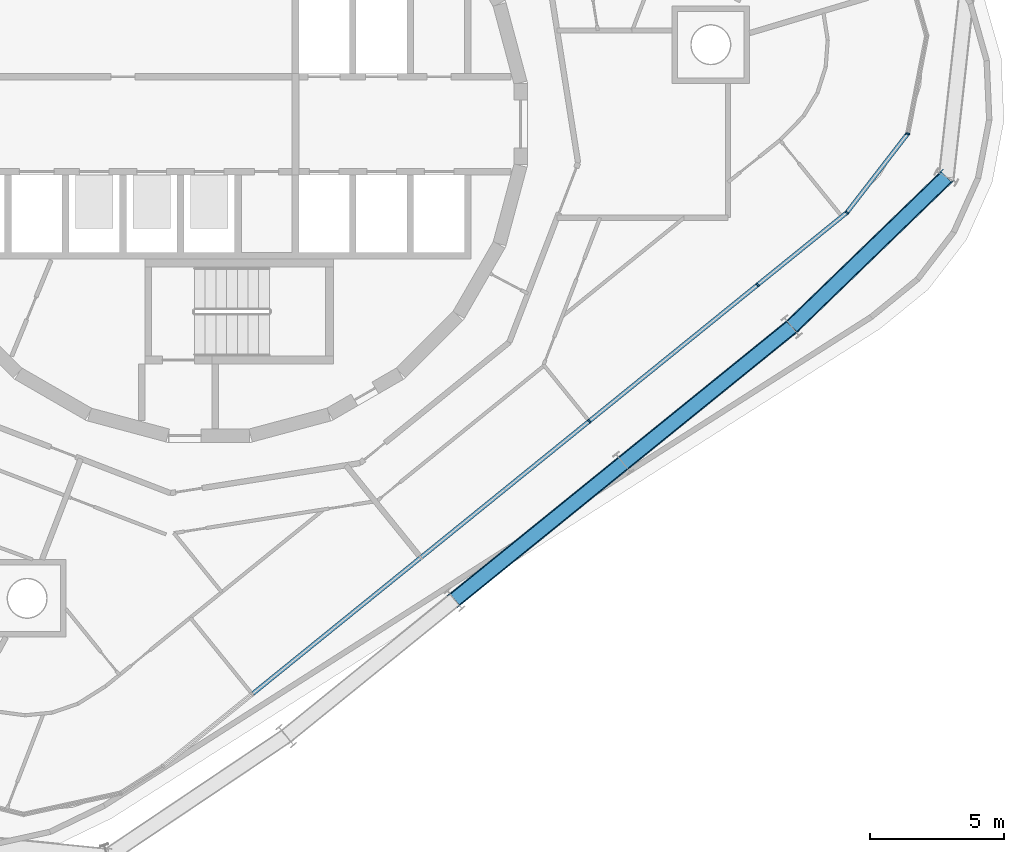
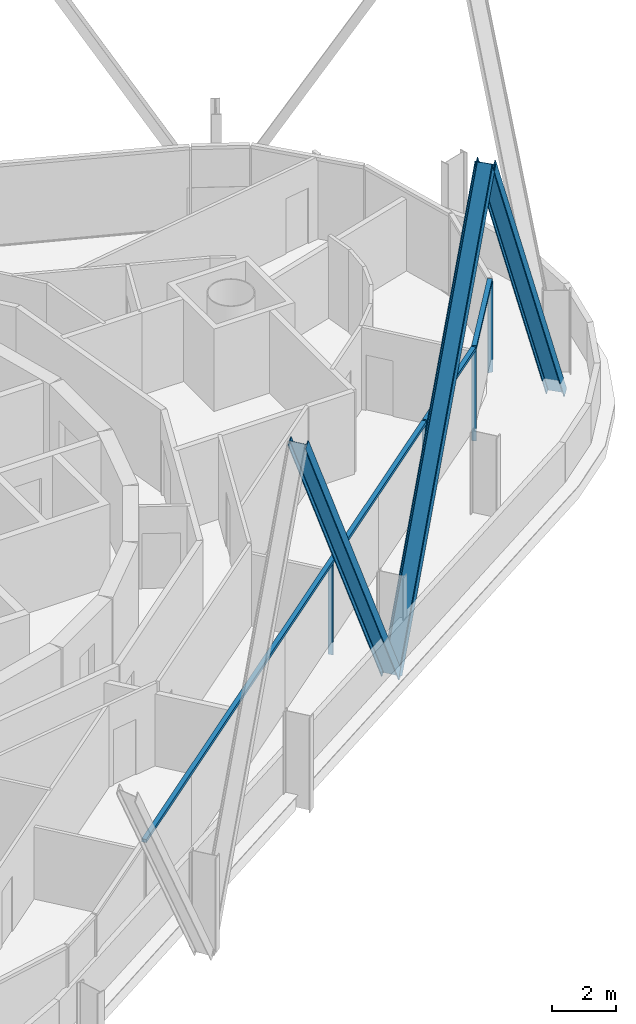
# One storey, part 4 of 19: 10 members, 2 elements without a shape of their own.
"""IFC4 building model written with IfcOpenShell, lengths in metres."""

from ifc_helpers import new_model, si_unit, direction, frame, origin, origin_2d, place, context, subcontext, project, spatial, rectangle, i_section, extrude, material, layer, layer_set, material_profile, profile_set, type_object, element, aggregate, save


model = new_model("IFC4")

# Units and contexts
model_context = context("Model", 3, precision=1e-05, world=origin(), true_north=direction((0.0, 1.0)))
body_context = subcontext(model_context, "Body", "Model", "MODEL_VIEW")
ifc_project = project(units=[si_unit("LENGTHUNIT", "METRE"), si_unit("AREAUNIT", "SQUARE_METRE"), si_unit("VOLUMEUNIT", "CUBIC_METRE"), si_unit("PLANEANGLEUNIT", "RADIAN"), si_unit("MASSUNIT", "GRAM", prefix="KILO")], contexts=[model_context])

# Site, building, storey
site_placement = place(None, origin())
site = spatial("IfcSite", under=ifc_project, at=site_placement, CompositionType="ELEMENT")
building_placement = place(site_placement, origin())
building = spatial("IfcBuilding", under=site, at=building_placement, Name="Spindle Arch Residences", CompositionType="ELEMENT")
storey_placement = place(building_placement, frame((0.0, 0.0, 263.39990234375)))
storey = spatial("IfcBuildingStorey", under=building, at=storey_placement, Name="L67", CompositionType="ELEMENT", Elevation=263.39990234375)

# Curtain wall, members
ifc_material_1 = material(Name="Aluminium bronze unitised frame with tinted glass", Category="aluminium")
ifc_layer_1 = layer(ifc_material_1, 0.159912109375)
ifc_layer_set_1 = layer_set([ifc_layer_1], Name="CW-D corner wall on the fillet arcs")
curtain_wall_type_1 = type_object("IfcCurtainWallType", Name="CW-D corner wall on the fillet arcs", PredefinedType="NOTDEFINED", material=ifc_layer_set_1)
curtain_wall_1_placement = place(storey_placement, origin())
curtain_wall_1 = element("IfcCurtainWall", 1, at=curtain_wall_1_placement, inside=storey, type_object=curtain_wall_type_1, Name="CW-D L67 run 1", PredefinedType="NOTDEFINED")
ifc_material_2 = material(Name="Aluminium bronze anodised mullion", Category="aluminium")
ifc_material_profile_1 = material_profile(ifc_material_2, rectangle(XDim=0.159912109375, YDim=0.06005859375, at=origin_2d()), Name="MU 60x160")
ifc_profile_set_1 = profile_set([ifc_material_profile_1], Name="Aluminium bronze anodised mullion")
member_type_1 = type_object("IfcMemberType", Name="Bronze mullion 60x160", PredefinedType="MULLION", material=ifc_profile_set_1)
member_1_placement = place(storey_placement, frame((20.512451171875, -6.006103515625, -0.449951171875), z_axis=(0.0, 0.0, 1.0), x_axis=(-0.62932039105, 0.777145961457, 0.0)))
member_1 = element("IfcMember", 2, at=member_1_placement, type_object=member_type_1, Name="CW-D mullion 00", PredefinedType="MULLION", context=body_context, shape_type="SweptSolid", body=[
    extrude(rectangle(XDim=0.159912109375, YDim=0.06005859375, at=origin_2d()), origin(), (0.0, 0.0, 1.0), 3.449951171875),
])
member_2_placement = place(storey_placement, frame((23.84423828125, -3.30810546875, -0.449951171875), z_axis=(0.0, 0.0, 1.0), x_axis=(-0.791579170105, 0.611066622764, 0.0)))
member_2 = element("IfcMember", 3, at=member_2_placement, type_object=member_type_1, Name="CW-D mullion 01", PredefinedType="MULLION", context=body_context, shape_type="SweptSolid", body=[
    extrude(rectangle(XDim=0.159912109375, YDim=0.06005859375, at=origin_2d()), origin(), (0.0, 0.0, 1.0), 3.449951171875),
])
member_3_placement = place(storey_placement, frame((26.12158203125, -0.358154296875, -0.449951171875), z_axis=(0.0, 0.0, 1.0), x_axis=(-0.981627183558, 0.190808994811, 0.0)))
member_3 = element("IfcMember", 4, at=member_3_placement, type_object=member_type_1, Name="CW-D mullion 02", PredefinedType="MULLION", context=body_context, shape_type="SweptSolid", body=[
    extrude(rectangle(XDim=0.159912109375, YDim=0.06005859375, at=origin_2d()), origin(), (0.0, 0.0, 1.0), 3.449951171875),
])

# Curtain wall, member
ifc_material_3 = material(Name="Aluminium bronze unitised frame with tinted glass", Category="aluminium")
ifc_layer_2 = layer(ifc_material_3, 0.159912109375)
ifc_layer_set_2 = layer_set([ifc_layer_2], Name="CW-C typical residential unitised wall")
curtain_wall_type_2 = type_object("IfcCurtainWallType", Name="CW-C typical residential unitised wall", PredefinedType="NOTDEFINED", material=ifc_layer_set_2)
curtain_wall_2_placement = place(storey_placement, origin())
curtain_wall_2 = element("IfcCurtainWall", 5, at=curtain_wall_2_placement, inside=storey, type_object=curtain_wall_type_2, Name="CW-C L67 run 6", PredefinedType="NOTDEFINED")
member_4_placement = place(storey_placement, frame((14.211669921875, -11.1083984375, -0.449951171875), z_axis=(0.0, 0.0, 1.0), x_axis=(-0.62932039105, 0.777145961457, 0.0)))
member_4 = element("IfcMember", 6, at=member_4_placement, type_object=member_type_1, Name="CW-C mullion 00", PredefinedType="MULLION", context=body_context, shape_type="SweptSolid", body=[
    extrude(rectangle(XDim=0.159912109375, YDim=0.06005859375, at=origin_2d()), origin(), (0.0, 0.0, 1.0), 3.449951171875),
])

# Member
ifc_material_4 = material(Name="Aluminium bronze anodised transom", Category="aluminium")
ifc_material_profile_2 = material_profile(ifc_material_4, rectangle(XDim=0.159912109375, YDim=0.1201171875, at=origin_2d()), Name="TR 120x160")
ifc_profile_set_2 = profile_set([ifc_material_profile_2], Name="Aluminium bronze anodised transom")
member_type_2 = type_object("IfcMemberType", Name="Bronze transom 120x160", PredefinedType="USERDEFINED", material=ifc_profile_set_2)
member_5_placement = place(storey_placement, frame((20.535888671875, -5.9873046875, 3.06005859375), z_axis=(0.777158783918, 0.6293045563, 0.0), x_axis=(-0.6293045563, 0.777158783918, 0.0)))
member_5 = element("IfcMember", 7, at=member_5_placement, type_object=member_type_2, Name="CW-D transom 00", ObjectType="TRANSOM", PredefinedType="USERDEFINED", context=body_context, shape_type="SweptSolid", body=[
    extrude(rectangle(XDim=0.159912109375, YDim=0.1201171875, at=origin_2d()), origin(), (0.0, 0.0, 1.0), 4.22705078125),
])

member_6_placement = place(storey_placement, frame((23.862548828125, -3.284423828125, 3.06005859375), z_axis=(0.611074135379, 0.791573370617, 0.0), x_axis=(-0.791573370617, 0.611074135379, 0.0)))
member_6 = element("IfcMember", 8, at=member_6_placement, type_object=member_type_2, Name="CW-D transom 01", ObjectType="TRANSOM", PredefinedType="USERDEFINED", context=body_context, shape_type="SweptSolid", body=[
    extrude(rectangle(XDim=0.159912109375, YDim=0.1201171875, at=origin_2d()), origin(), (0.0, 0.0, 1.0), 3.666748046875),
])

aggregate(curtain_wall_1, [member_1, member_5, member_2, member_6, member_3])

member_7_placement = place(storey_placement, frame((1.633544921875, -21.294189453125, 3.06005859375), z_axis=(0.777146208679, 0.629320085756, 0.0), x_axis=(-0.629320085756, 0.777146208679, 0.0)))
member_7 = element("IfcMember", 9, at=member_7_placement, type_object=member_type_2, Name="CW-C transom 00", ObjectType="TRANSOM", PredefinedType="USERDEFINED", context=body_context, shape_type="SweptSolid", body=[
    extrude(rectangle(XDim=0.159912109375, YDim=0.1201171875, at=origin_2d()), origin(), (0.0, 0.0, 1.0), 24.2626953125),
])

aggregate(curtain_wall_2, [member_7, member_4])

# Members
ifc_material_5 = material(Name="Steel S460ML, intumescent coating R 240", Category="steel")
ifc_material_profile_3 = material_profile(ifc_material_5, i_section(OverallWidth=0.300048828125, OverallDepth=0.60009765625, WebThickness=0.015380859375, FlangeThickness=0.030029296875, FilletRadius=0.027099609375, at=origin_2d()), Name="HEB 600")
ifc_profile_set_3 = profile_set([ifc_material_profile_3], Name="Steel S460ML, intumescent coating R 240")
member_type_3 = type_object("IfcMemberType", Name="Diagrid diagonal HEB 600", PredefinedType="BRACE", material=ifc_profile_set_3)
member_8_placement = place(storey_placement, frame((15.48291015625, -12.67822265625, -0.699951171875), z_axis=(0.388006740338, 0.314203071386, 0.866445150823), x_axis=(-0.673353154504, -0.545273077185, 0.499272271027)))
element("IfcMember", 10, at=member_8_placement, inside=storey, type_object=member_type_3, Name="Diagrid diagonal 7.1.1", PredefinedType="BRACE", context=body_context, shape_type="SweptSolid", body=[
    extrude(i_section(OverallWidth=0.300048828125, OverallDepth=0.60009765625, WebThickness=0.015380859375, FlangeThickness=0.030029296875, FilletRadius=0.027099609375, at=origin_2d()), origin(), (0.0, 0.0, 1.0), 16.23876953125),
])
member_9_placement = place(storey_placement, frame((27.56494140625, -1.975830078125, -0.699951171875), z_axis=(-0.35665617879, -0.345480550215, 0.868008962831), x_axis=(0.623465265761, 0.603929318666, 0.496548527785)))
element("IfcMember", 11, at=member_9_placement, inside=storey, type_object=member_type_3, Name="Diagrid diagonal 7.1.2", PredefinedType="BRACE", context=body_context, shape_type="SweptSolid", body=[
    extrude(i_section(OverallWidth=0.300048828125, OverallDepth=0.60009765625, WebThickness=0.015380859375, FlangeThickness=0.030029296875, FilletRadius=0.027099609375, at=origin_2d()), origin(), (0.0, 0.0, 1.0), 16.20947265625),
])
member_10_placement = place(storey_placement, frame((15.48291015625, -12.67822265625, -0.699951171875), z_axis=(-0.388006740338, -0.314203071386, 0.866445150823), x_axis=(0.673353154504, 0.545273077185, 0.499272271027)))
element("IfcMember", 12, at=member_10_placement, inside=storey, type_object=member_type_3, Name="Diagrid diagonal 7.1.20", PredefinedType="BRACE", context=body_context, shape_type="SweptSolid", body=[
    extrude(i_section(OverallWidth=0.300048828125, OverallDepth=0.60009765625, WebThickness=0.015380859375, FlangeThickness=0.030029296875, FilletRadius=0.027099609375, at=origin_2d()), origin(), (0.0, 0.0, 1.0), 16.23876953125),
])

save(model, "model.ifc")
